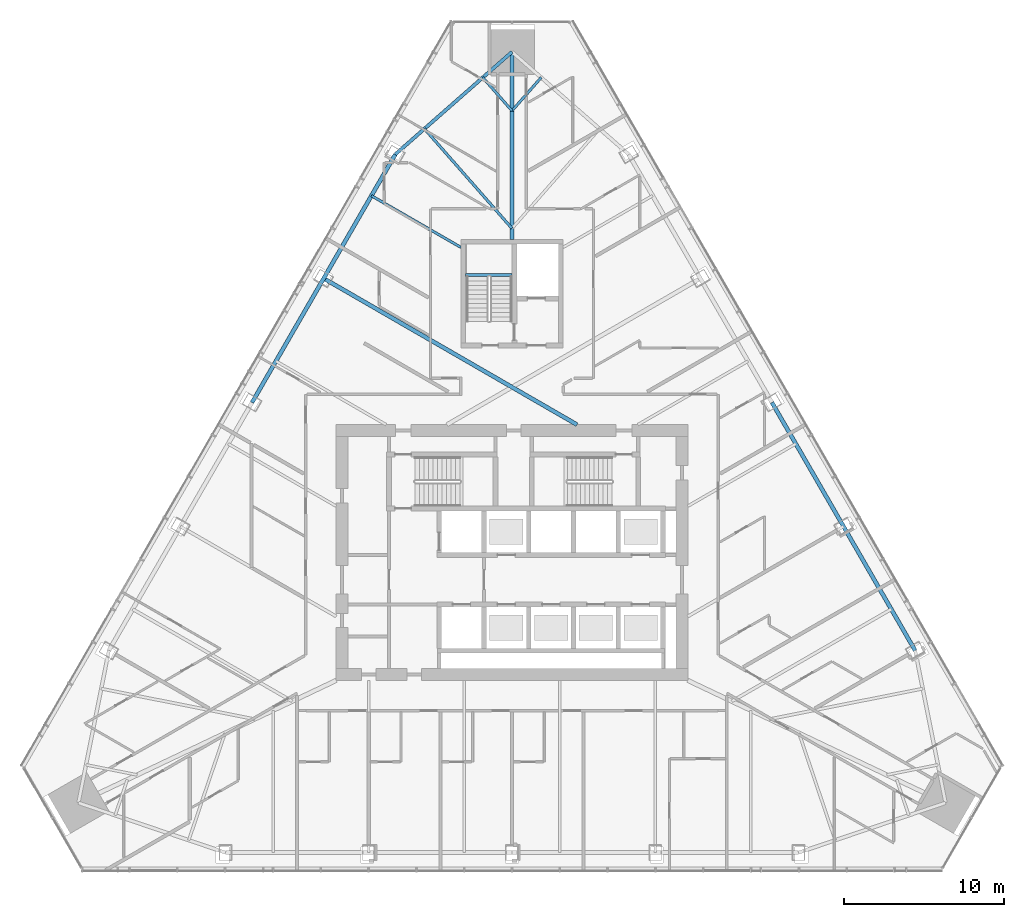
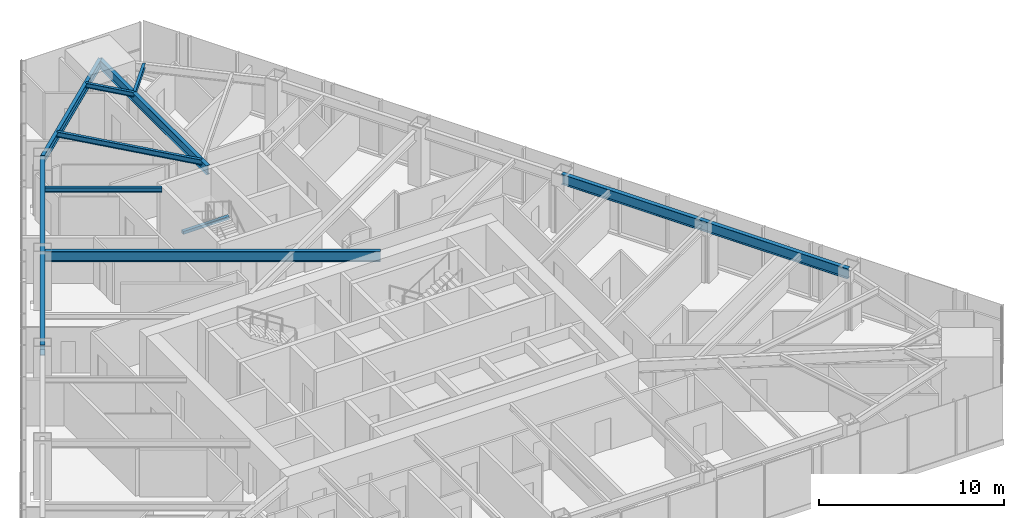
# One storey, part 11 of 21: 10 beams.
"""IFC4 building model written with IfcOpenShell, lengths in metres."""

from ifc_helpers import new_model, si_unit, direction, frame, origin, origin_2d, place, context, subcontext, project, spatial, rectangle, i_section, extrude, material, material_profile, profile_set, type_object, element, save


model = new_model("IFC4")

# Units and contexts
model_context = context("Model", 3, precision=1e-05, world=origin(), true_north=direction((0.0, 1.0)))
body_context = subcontext(model_context, "Body", "Model", "MODEL_VIEW")
ifc_project = project(units=[si_unit("LENGTHUNIT", "METRE"), si_unit("AREAUNIT", "SQUARE_METRE"), si_unit("VOLUMEUNIT", "CUBIC_METRE"), si_unit("PLANEANGLEUNIT", "RADIAN"), si_unit("MASSUNIT", "GRAM", prefix="KILO")], contexts=[model_context])

# Site, building, storey
site_placement = place(None, origin())
site = spatial("IfcSite", under=ifc_project, at=site_placement, CompositionType="ELEMENT")
building_placement = place(site_placement, origin())
building = spatial("IfcBuilding", under=site, at=building_placement, Name="Firuza Gate Tower and Library", CompositionType="ELEMENT")
storey_placement = place(building_placement, frame((0.0, 0.0, 167.5)))
storey = spatial("IfcBuildingStorey", under=building, at=storey_placement, Name="L38", CompositionType="ELEMENT", Elevation=167.5)

# Beams
ifc_material_1 = material(Name="Concrete C35/45", Category="concrete")
ifc_material_profile_1 = material_profile(ifc_material_1, rectangle(XDim=0.199951171875, YDim=0.199951171875, at=origin_2d()))
ifc_profile_set_1 = profile_set([ifc_material_profile_1], Name="Concrete C35/45")
beam_type_1 = type_object("IfcBeamType", Name="Stair landing bearer 200x200", PredefinedType="BEAM", material=ifc_profile_set_1)
beam_1_placement = place(storey_placement, frame((75.0, 92.3701171875, 1.64990234375), z_axis=(-1.0, 0.0, 0.0), x_axis=(0.0, -1.0, 0.0)))
element("IfcBeam", 1, at=beam_1_placement, inside=storey, type_object=beam_type_1, Name="Landing bearer L38 stair 3", PredefinedType="BEAM", context=body_context, shape_type="SweptSolid", body=[
    extrude(rectangle(XDim=0.199951171875, YDim=0.199951171875, at=origin_2d()), origin(), (0.0, 0.0, 1.0), 2.89990234375),
])
ifc_material_2 = material(Name="Steel S355", Category="steel")
ifc_material_profile_2 = material_profile(ifc_material_2, i_section(OverallWidth=0.1650390625, OverallDepth=0.31005859375, WebThickness=0.005859375, FlangeThickness=0.009765625, at=origin_2d()))
ifc_profile_set_2 = profile_set([ifc_material_profile_2], Name="Steel S355")
beam_type_2 = type_object("IfcBeamType", Name="W310x39 Floor beam", PredefinedType="JOIST", material=ifc_profile_set_2)
for number, where, z_axis, x_axis, name in (
    (2, (76.825439453125, 104.720703125, 3.544921875), (-0.659821834056, -0.751422083321, 0.0), (0.751422083321, -0.659821834056, 0.0), "Floor beam L38 s61"),
    (3, (73.174560546875, 104.720703125, 3.544921875), (0.659821834056, -0.751422083321, 0.0), (0.751422083321, 0.659821834056, 0.0), "Floor beam L38 s70"),
):
    element("IfcBeam", number, at=place(storey_placement, frame(where, z_axis=z_axis, x_axis=x_axis)), inside=storey, type_object=beam_type_2, Name=name, PredefinedType="JOIST", context=body_context, shape_type="SweptSolid", body=[
        extrude(i_section(OverallWidth=0.1650390625, OverallDepth=0.31005859375, WebThickness=0.005859375, FlangeThickness=0.009765625, at=origin_2d()), origin(), (0.0, 0.0, 1.0), 2.7666015625),
    ])
beam_2_placement = place(storey_placement, frame((66.204833984375, 97.3251953125, 3.544921875), z_axis=(0.86602071536, -0.500008120501, 0.0), x_axis=(0.500008120501, 0.86602071536, 0.0)))
element("IfcBeam", 4, at=beam_2_placement, inside=storey, type_object=beam_type_2, Name="Floor beam L38 s80", PredefinedType="JOIST", context=body_context, shape_type="SweptSolid", body=[
    extrude(i_section(OverallWidth=0.1650390625, OverallDepth=0.31005859375, WebThickness=0.005859375, FlangeThickness=0.009765625, at=origin_2d()), origin(), (0.0, 0.0, 1.0), 6.4609375),
])
ifc_material_3 = material(Name="Steel S355", Category="steel")
ifc_material_profile_3 = material_profile(ifc_material_3, i_section(OverallWidth=0.1708984375, OverallDepth=0.35498046875, WebThickness=0.007080078125, FlangeThickness=0.01171875, at=origin_2d()))
ifc_profile_set_3 = profile_set([ifc_material_profile_3], Name="Steel S355")
beam_type_3 = type_object("IfcBeamType", Name="W360x51 Floor beam", PredefinedType="JOIST", material=ifc_profile_set_3)
beam_3_placement = place(storey_placement, frame((69.52392578125, 101.51513671875, 3.5224609375), z_axis=(0.659805224478, -0.751436667824, 0.0), x_axis=(0.751436667824, 0.659805224478, 0.0)))
element("IfcBeam", 5, at=beam_3_placement, inside=storey, type_object=beam_type_3, Name="Floor beam L38 s71", PredefinedType="JOIST", context=body_context, shape_type="SweptSolid", body=[
    extrude(i_section(OverallWidth=0.1708984375, OverallDepth=0.35498046875, WebThickness=0.007080078125, FlangeThickness=0.01171875, at=origin_2d()), origin(), (0.0, 0.0, 1.0), 8.299560546875),
])
ifc_material_4 = material(Name="Steel S355", Category="steel")
ifc_material_profile_4 = material_profile(ifc_material_4, i_section(OverallWidth=0.212890625, OverallDepth=0.5390625, WebThickness=0.01171875, FlangeThickness=0.018798828125, at=origin_2d()))
ifc_profile_set_4 = profile_set([ifc_material_profile_4], Name="Steel S355")
beam_type_4 = type_object("IfcBeamType", Name="W530x109 Edge beam", PredefinedType="SPANDREL", material=ifc_profile_set_4)
beam_4_placement = place(storey_placement, frame((75.0, 106.323486328125, 3.430419921875), z_axis=(-0.751437794332, -0.659803941524, 0.0), x_axis=(0.659803941524, -0.751437794332, 0.0)))
element("IfcBeam", 6, at=beam_4_placement, inside=storey, type_object=beam_type_4, Name="Edge beam L38 e70", PredefinedType="SPANDREL", context=body_context, shape_type="SweptSolid", body=[
    extrude(i_section(OverallWidth=0.212890625, OverallDepth=0.5390625, WebThickness=0.01171875, FlangeThickness=0.018798828125, at=origin_2d()), origin(), (0.0, 0.0, 1.0), 9.716796875),
])
ifc_material_5 = material(Name="Steel S355", Category="steel")
ifc_material_profile_5 = material_profile(ifc_material_5, i_section(OverallWidth=0.22802734375, OverallDepth=0.60302734375, WebThickness=0.010498046875, FlangeThickness=0.014892578125, at=origin_2d()))
ifc_profile_set_5 = profile_set([ifc_material_profile_5], Name="Steel S355")
beam_type_5 = type_object("IfcBeamType", Name="W610x101 Girder", PredefinedType="BEAM", material=ifc_profile_set_5)
beam_5_placement = place(storey_placement, frame((75.0, 106.323486328125, 3.3984375), z_axis=(0.0, -1.0, 0.0), x_axis=(1.0, 0.0, 0.0)))
element("IfcBeam", 7, at=beam_5_placement, inside=storey, type_object=beam_type_5, Name="Girder L38 gN", PredefinedType="BEAM", context=body_context, shape_type="SweptSolid", body=[
    extrude(i_section(OverallWidth=0.22802734375, OverallDepth=0.60302734375, WebThickness=0.010498046875, FlangeThickness=0.014892578125, at=origin_2d()), origin(), (0.0, 0.0, 1.0), 11.723388671875),
])
ifc_material_6 = material(Name="Steel S355", Category="steel")
ifc_material_profile_6 = material_profile(ifc_material_6, i_section(OverallWidth=0.2529296875, OverallDepth=0.677978515625, WebThickness=0.01171875, FlangeThickness=0.016357421875, at=origin_2d()))
ifc_profile_set_6 = profile_set([ifc_material_profile_6], Name="Steel S355")
beam_type_6 = type_object("IfcBeamType", Name="W690x125 Edge beam", PredefinedType="SPANDREL", material=ifc_profile_set_6)
beam_6_placement = place(storey_placement, frame((100.225341796875, 68.8671875, 3.361083984375), z_axis=(-0.500000713928, 0.866024991597, 0.0), x_axis=(-0.866024991597, -0.500000713928, 0.0)))
element("IfcBeam", 8, at=beam_6_placement, inside=storey, type_object=beam_type_6, Name="Edge beam L38 e50", PredefinedType="SPANDREL", context=body_context, shape_type="SweptSolid", body=[
    extrude(i_section(OverallWidth=0.2529296875, OverallDepth=0.677978515625, WebThickness=0.01171875, FlangeThickness=0.016357421875, at=origin_2d()), origin(), (0.0, 0.0, 1.0), 17.923828125),
])
beam_7_placement = place(storey_placement, frame((67.698486328125, 99.912353515625, 3.361083984375), z_axis=(-0.499994815902, -0.866028396804, 0.0), x_axis=(0.866028396804, -0.499994815902, 0.0)))
element("IfcBeam", 9, at=beam_7_placement, inside=storey, type_object=beam_type_6, Name="Edge beam L38 e80", PredefinedType="SPANDREL", context=body_context, shape_type="SweptSolid", body=[
    extrude(i_section(OverallWidth=0.2529296875, OverallDepth=0.677978515625, WebThickness=0.01171875, FlangeThickness=0.016357421875, at=origin_2d()), origin(), (0.0, 0.0, 1.0), 17.924072265625),
])
ifc_material_7 = material(Name="Steel S355", Category="steel")
ifc_material_profile_7 = material_profile(ifc_material_7, i_section(OverallWidth=0.2529296875, OverallDepth=0.677978515625, WebThickness=0.01171875, FlangeThickness=0.016357421875, at=origin_2d()))
ifc_profile_set_7 = profile_set([ifc_material_profile_7], Name="Steel S355")
beam_type_7 = type_object("IfcBeamType", Name="W690x125 Floor beam", PredefinedType="JOIST", material=ifc_profile_set_7)
beam_8_placement = place(storey_placement, frame((63.217529296875, 92.15087890625, 3.361083984375), z_axis=(0.866026309651, -0.49999843099, 0.0), x_axis=(0.49999843099, 0.866026309651, 0.0)))
element("IfcBeam", 10, at=beam_8_placement, inside=storey, type_object=beam_type_7, Name="Floor beam L38 s81", PredefinedType="JOIST", context=body_context, shape_type="SweptSolid", body=[
    extrude(i_section(OverallWidth=0.2529296875, OverallDepth=0.677978515625, WebThickness=0.01171875, FlangeThickness=0.016357421875, at=origin_2d()), origin(), (0.0, 0.0, 1.0), 18.3017578125),
])

save(model, "model.ifc")
